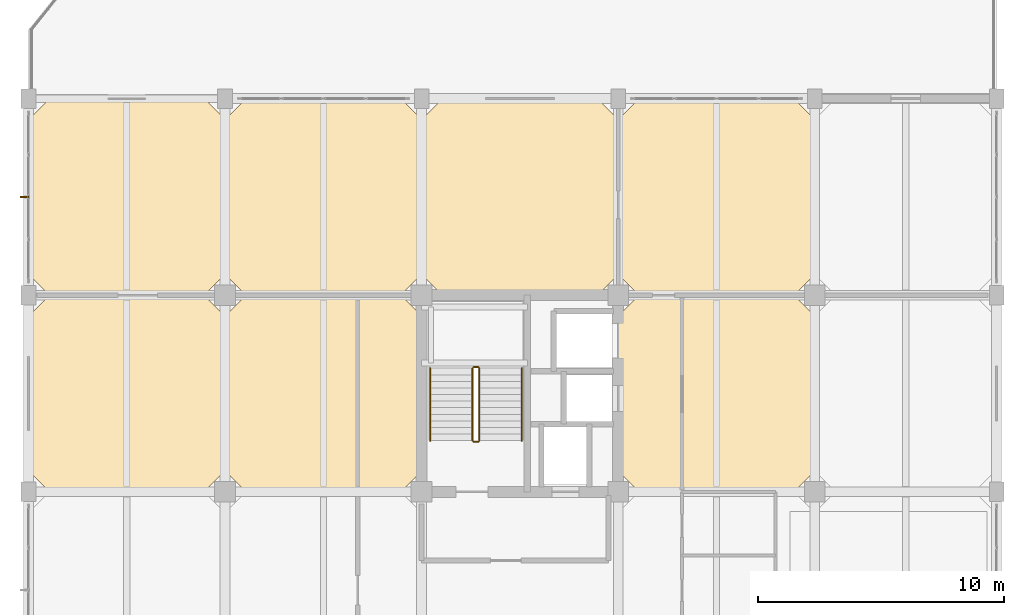
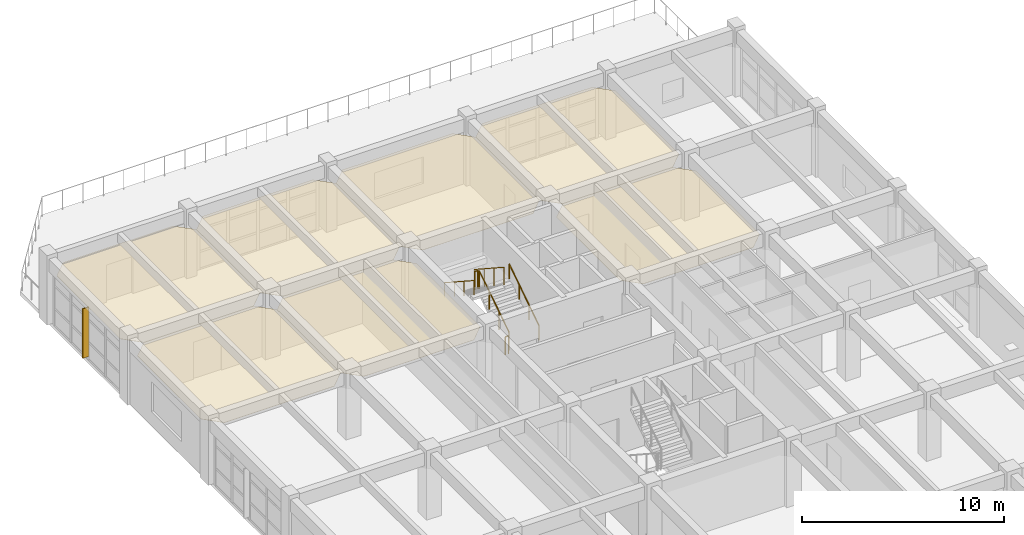
# One storey, part 29 of 30: 7 coverings, 6 railings, 1 shading device.
"""IFC4 building model written with IfcOpenShell, lengths in metres."""

from ifc_helpers import new_model, si_unit, direction, frame, origin, origin_2d, place, context, subcontext, project, spatial, polyline, rectangle, circle, outline, extrude, material, layer, layer_set, type_object, element, save


model = new_model("IFC4")

# Units and contexts
model_context = context("Model", 3, precision=1e-05, world=origin(), true_north=direction((0.0, 1.0)))
body_context = subcontext(model_context, "Body", "Model", "MODEL_VIEW")
ifc_project = project(units=[si_unit("LENGTHUNIT", "METRE"), si_unit("AREAUNIT", "SQUARE_METRE"), si_unit("VOLUMEUNIT", "CUBIC_METRE"), si_unit("PLANEANGLEUNIT", "RADIAN"), si_unit("MASSUNIT", "GRAM", prefix="KILO")], contexts=[model_context])

# Site, building, storey
site_placement = place(None, origin())
site = spatial("IfcSite", under=ifc_project, at=site_placement, CompositionType="ELEMENT")
building_placement = place(site_placement, origin())
building = spatial("IfcBuilding", under=site, at=building_placement, Name="Canggui Botanical Conservatory", CompositionType="ELEMENT")
storey_placement = place(building_placement, frame((0.0, 0.0, 19.199951171875)))
storey = spatial("IfcBuildingStorey", under=building, at=storey_placement, Name="L05", CompositionType="ELEMENT", Elevation=19.199951171875)

# Coverings
ifc_material_1 = material(Name="Mineral Fibre Acoustic Board")
ifc_layer_1 = layer(ifc_material_1, 0.014892578125, Name="Mineral Fibre Acoustic Board")
ifc_layer_set_1 = layer_set([ifc_layer_1], Name="Mineral Fibre Acoustic Board")
covering_type_1 = type_object("IfcCoveringType", Name="COV-CEIL-15", PredefinedType="CEILING", material=ifc_layer_set_1)
covering_1_placement = place(storey_placement, frame((0.0, 0.0, 3.14501953125)))
element("IfcCovering", 1, at=covering_1_placement, inside=storey, type_object=covering_type_1, Name="Suspended Acoustic Ceiling L05-138-66", PredefinedType="CEILING", context=body_context, shape_type="SweptSolid", body=[
    extrude(outline(polyline([(138.85009765625, 66.0), (145.14990234375, 66.0), (146.0, 66.85009765625), (146.0, 73.14990234375), (145.14990234375, 74.0), (138.85009765625, 74.0), (138.0, 73.14990234375), (138.0, 66.85009765625), (138.85009765625, 66.0)])), origin(), (0.0, 0.0, 1.0), 0.01513671875),
])
covering_2_placement = place(storey_placement, frame((0.0, 0.0, 3.14501953125)))
element("IfcCovering", 2, at=covering_2_placement, inside=storey, type_object=covering_type_1, Name="Suspended Acoustic Ceiling L05-146-58", PredefinedType="CEILING", context=body_context, shape_type="SweptSolid", body=[
    extrude(outline(polyline([(146.85009765625, 58.0), (153.14990234375, 58.0), (154.0, 58.85009765625), (154.0, 65.14990234375), (153.14990234375, 66.0), (146.85009765625, 66.0), (146.0, 65.14990234375), (146.0, 58.85009765625), (146.85009765625, 58.0)])), origin(), (0.0, 0.0, 1.0), 0.01513671875),
])
covering_3_placement = place(storey_placement, frame((0.0, 0.0, 3.14501953125)))
element("IfcCovering", 3, at=covering_3_placement, inside=storey, type_object=covering_type_1, Name="Suspended Acoustic Ceiling L05-154-66", PredefinedType="CEILING", context=body_context, shape_type="SweptSolid", body=[
    extrude(outline(polyline([(154.85009765625, 66.0), (161.14990234375, 66.0), (162.0, 66.85009765625), (162.0, 73.14990234375), (161.14990234375, 74.0), (154.85009765625, 74.0), (154.0, 73.14990234375), (154.0, 66.85009765625), (154.85009765625, 66.0)])), origin(), (0.0, 0.0, 1.0), 0.01513671875),
])
covering_4_placement = place(storey_placement, frame((0.0, 0.0, 3.14501953125)))
element("IfcCovering", 4, at=covering_4_placement, inside=storey, type_object=covering_type_1, Name="Suspended Acoustic Ceiling L05-162-58", PredefinedType="CEILING", context=body_context, shape_type="SweptSolid", body=[
    extrude(outline(polyline([(162.85009765625, 58.0), (169.14990234375, 58.0), (170.0, 58.85009765625), (170.0, 65.14990234375), (169.14990234375, 66.0), (162.85009765625, 66.0), (162.0, 65.14990234375), (162.0, 58.85009765625), (162.85009765625, 58.0)])), origin(), (0.0, 0.0, 1.0), 0.01513671875),
])
ifc_material_2 = material(Name="Perforated Gypsum Acoustic Panel")
ifc_layer_2 = layer(ifc_material_2, 0.02001953125, Name="Perforated Gypsum Acoustic Panel")
ifc_layer_set_2 = layer_set([ifc_layer_2], Name="Perforated Gypsum Acoustic Panel")
covering_type_2 = type_object("IfcCoveringType", Name="COV-CEIL-20", PredefinedType="CEILING", material=ifc_layer_set_2)
covering_5_placement = place(storey_placement, frame((0.0, 0.0, 3.14013671875)))
element("IfcCovering", 5, at=covering_5_placement, inside=storey, type_object=covering_type_2, Name="Suspended Acoustic Ceiling L05-138-58", PredefinedType="CEILING", context=body_context, shape_type="SweptSolid", body=[
    extrude(outline(polyline([(138.85009765625, 58.0), (145.14990234375, 58.0), (146.0, 58.85009765625), (146.0, 65.14990234375), (145.14990234375, 66.0), (138.85009765625, 66.0), (138.0, 65.14990234375), (138.0, 58.85009765625), (138.85009765625, 58.0)])), origin(), (0.0, 0.0, 1.0), 0.02001953125),
])
covering_6_placement = place(storey_placement, frame((0.0, 0.0, 3.14013671875)))
element("IfcCovering", 6, at=covering_6_placement, inside=storey, type_object=covering_type_2, Name="Suspended Acoustic Ceiling L05-146-66", PredefinedType="CEILING", context=body_context, shape_type="SweptSolid", body=[
    extrude(outline(polyline([(146.85009765625, 66.0), (153.14990234375, 66.0), (154.0, 66.85009765625), (154.0, 73.14990234375), (153.14990234375, 74.0), (146.85009765625, 74.0), (146.0, 73.14990234375), (146.0, 66.85009765625), (146.85009765625, 66.0)])), origin(), (0.0, 0.0, 1.0), 0.02001953125),
])
covering_7_placement = place(storey_placement, frame((0.0, 0.0, 3.14013671875)))
element("IfcCovering", 7, at=covering_7_placement, inside=storey, type_object=covering_type_2, Name="Suspended Acoustic Ceiling L05-162-66", PredefinedType="CEILING", context=body_context, shape_type="SweptSolid", body=[
    extrude(outline(polyline([(162.85009765625, 66.0), (169.14990234375, 66.0), (170.0, 66.85009765625), (170.0, 73.14990234375), (169.14990234375, 74.0), (162.85009765625, 74.0), (162.0, 73.14990234375), (162.0, 66.85009765625), (162.85009765625, 66.0)])), origin(), (0.0, 0.0, 1.0), 0.02001953125),
])

# Railings
ifc_material_3 = material(Name="Stainless Steel 304", Category="steel")
railing_type_1 = type_object("IfcRailingType", Name="RAIL-GUARD-1100", PredefinedType="BALUSTRADE", material=ifc_material_3)
railing_1_placement = place(storey_placement, frame((156.35009765625, 60.080078125, 0.175048828125)))
element("IfcRailing", 8, at=railing_1_placement, inside=storey, type_object=railing_type_1, Name="L05 ST-T2 stair guard 1", PredefinedType="BALUSTRADE", context=body_context, shape_type="SweptSolid", body=[
    extrude(circle(Radius=0.02392578125, at=origin_2d()), frame((0.0, 0.0, 1.076171875), z_axis=(0.0, 0.837293178872, 0.54675417933), x_axis=(-1.0, 0.0, 0.0)), (0.0, 0.0, 1.0), 3.520751953125),
    extrude(circle(Radius=0.02099609375, at=origin_2d()), origin(), (0.0, 0.0, 1.0), 1.052001953125),
    extrude(circle(Radius=0.02099609375, at=origin_2d()), frame((0.0, 0.982666015625, 0.6416015625)), (0.0, 0.0, 1.0), 1.052001953125),
    extrude(circle(Radius=0.02099609375, at=origin_2d()), frame((0.0, 1.96533203125, 1.283447265625)), (0.0, 0.0, 1.0), 1.052001953125),
    extrude(circle(Radius=0.02099609375, at=origin_2d()), frame((0.0, 2.947998046875, 1.925048828125)), (0.0, 0.0, 1.0), 1.052001953125),
])
railing_2_placement = place(storey_placement, frame((156.300048828125, 63.077880859375, 2.10009765625)))
element("IfcRailing", 9, at=railing_2_placement, inside=storey, type_object=railing_type_1, Name="L05 ST-T2 stair guard 2", PredefinedType="BALUSTRADE", context=body_context, shape_type="SweptSolid", body=[
    extrude(circle(Radius=0.02392578125, at=origin_2d()), frame((0.0, 0.0, 1.076171875), z_axis=(-1.0, 0.0, 0.0), x_axis=(0.0, -1.0, 0.0)), (0.0, 0.0, 1.0), 0.179931640625),
    extrude(circle(Radius=0.02099609375, at=origin_2d()), origin(), (0.0, 0.0, 1.0), 1.052001953125),
    extrude(circle(Radius=0.02099609375, at=origin_2d()), frame((-0.179931640625, 0.0, 0.0)), (0.0, 0.0, 1.0), 1.052001953125),
])
railing_3_placement = place(storey_placement, frame((156.070068359375, 63.028076171875, 2.275146484375)))
element("IfcRailing", 10, at=railing_3_placement, inside=storey, type_object=railing_type_1, Name="L05 ST-T2 stair guard 3", PredefinedType="BALUSTRADE", context=body_context, shape_type="SweptSolid", body=[
    extrude(circle(Radius=0.02392578125, at=origin_2d()), frame((0.0, 0.0, 1.076171875), z_axis=(0.0, -0.837324922549, 0.546705564338), x_axis=(1.0, 0.0, 0.0)), (0.0, 0.0, 1.0), 3.520751953125),
    extrude(circle(Radius=0.02099609375, at=origin_2d()), origin(), (0.0, 0.0, 1.0), 1.052001953125),
    extrude(circle(Radius=0.02099609375, at=origin_2d()), frame((0.0, -0.982666015625, 0.6416015625)), (0.0, 0.0, 1.0), 1.052001953125),
    extrude(circle(Radius=0.02099609375, at=origin_2d()), frame((0.0, -1.96533203125, 1.283203125)), (0.0, 0.0, 1.0), 1.052001953125),
    extrude(circle(Radius=0.02099609375, at=origin_2d()), frame((0.0, -2.947998046875, 1.9248046875)), (0.0, 0.0, 1.0), 1.052001953125),
])
railing_4_placement = place(storey_placement, frame((156.300048828125, 60.030029296875, 0.0)))
element("IfcRailing", 11, at=railing_4_placement, inside=storey, type_object=railing_type_1, Name="L05 ST-T2 stair guard 4", PredefinedType="BALUSTRADE", context=body_context, shape_type="SweptSolid", body=[
    extrude(circle(Radius=0.02392578125, at=origin_2d()), frame((0.0, 0.0, 1.076171875), z_axis=(-1.0, 0.0, 0.0), x_axis=(0.0, -1.0, 0.0)), (0.0, 0.0, 1.0), 0.179931640625),
    extrude(circle(Radius=0.02099609375, at=origin_2d()), origin(), (0.0, 0.0, 1.0), 1.052001953125),
    extrude(circle(Radius=0.02099609375, at=origin_2d()), frame((-0.179931640625, 0.0, 0.0)), (0.0, 0.0, 1.0), 1.052001953125),
])
railing_type_2 = type_object("IfcRailingType", Name="RAIL-HAND-900", PredefinedType="HANDRAIL", material=ifc_material_3)
railing_5_placement = place(storey_placement, frame((158.070068359375, 60.080078125, 0.175048828125)))
element("IfcRailing", 12, at=railing_5_placement, inside=storey, type_object=railing_type_2, Name="L05 ST-T2 stair handrail 1", PredefinedType="HANDRAIL", context=body_context, shape_type="SweptSolid", body=[
    extrude(circle(Radius=0.02392578125, at=origin_2d()), frame((0.0, 0.0, 0.8759765625), z_axis=(0.0, 0.837293178872, 0.54675417933), x_axis=(-1.0, 0.0, 0.0)), (0.0, 0.0, 1.0), 3.520751953125),
    extrude(circle(Radius=0.02099609375, at=origin_2d()), origin(), (0.0, 0.0, 1.0), 0.851806640625),
    extrude(circle(Radius=0.02099609375, at=origin_2d()), frame((0.0, 0.982666015625, 0.6416015625)), (0.0, 0.0, 1.0), 0.851806640625),
    extrude(circle(Radius=0.02099609375, at=origin_2d()), frame((0.0, 1.96533203125, 1.283447265625)), (0.0, 0.0, 1.0), 0.851806640625),
    extrude(circle(Radius=0.02099609375, at=origin_2d()), frame((0.0, 2.947998046875, 1.925048828125)), (0.0, 0.0, 1.0), 0.851806640625),
])
railing_6_placement = place(storey_placement, frame((154.35009765625, 63.028076171875, 2.275146484375)))
element("IfcRailing", 13, at=railing_6_placement, inside=storey, type_object=railing_type_2, Name="L05 ST-T2 stair handrail 2", PredefinedType="HANDRAIL", context=body_context, shape_type="SweptSolid", body=[
    extrude(circle(Radius=0.02392578125, at=origin_2d()), frame((0.0, 0.0, 0.8759765625), z_axis=(0.0, -0.837324922549, 0.546705564338), x_axis=(1.0, 0.0, 0.0)), (0.0, 0.0, 1.0), 3.520751953125),
    extrude(circle(Radius=0.02099609375, at=origin_2d()), origin(), (0.0, 0.0, 1.0), 0.851806640625),
    extrude(circle(Radius=0.02099609375, at=origin_2d()), frame((0.0, -0.982666015625, 0.6416015625)), (0.0, 0.0, 1.0), 0.851806640625),
    extrude(circle(Radius=0.02099609375, at=origin_2d()), frame((0.0, -1.96533203125, 1.283203125)), (0.0, 0.0, 1.0), 0.851806640625),
    extrude(circle(Radius=0.02099609375, at=origin_2d()), frame((0.0, -2.947998046875, 1.9248046875)), (0.0, 0.0, 1.0), 0.851806640625),
])

# Shading device
ifc_material_4 = material(Name="Anodised Aluminium", Category="aluminium")
shading_device_type = type_object("IfcShadingDeviceType", Name="SHD-FIN02", PredefinedType="AWNING", material=ifc_material_4)
shading_device_placement = place(storey_placement, frame((137.8349609375, 70.0, 0.199951171875), z_axis=(0.0, 0.0, 1.0), x_axis=(0.0, 1.0, 0.0)))
element("IfcShadingDevice", 14, at=shading_device_placement, inside=storey, type_object=shading_device_type, Name="Solar Shading Fin CW-TWR-L05-11", PredefinedType="AWNING", context=body_context, shape_type="SweptSolid", body=[
    extrude(rectangle(XDim=0.06005859375, YDim=0.360107421875, at=origin_2d()), origin(), (0.0, 0.0, 1.0), 3.0),
])

save(model, "model.ifc")
